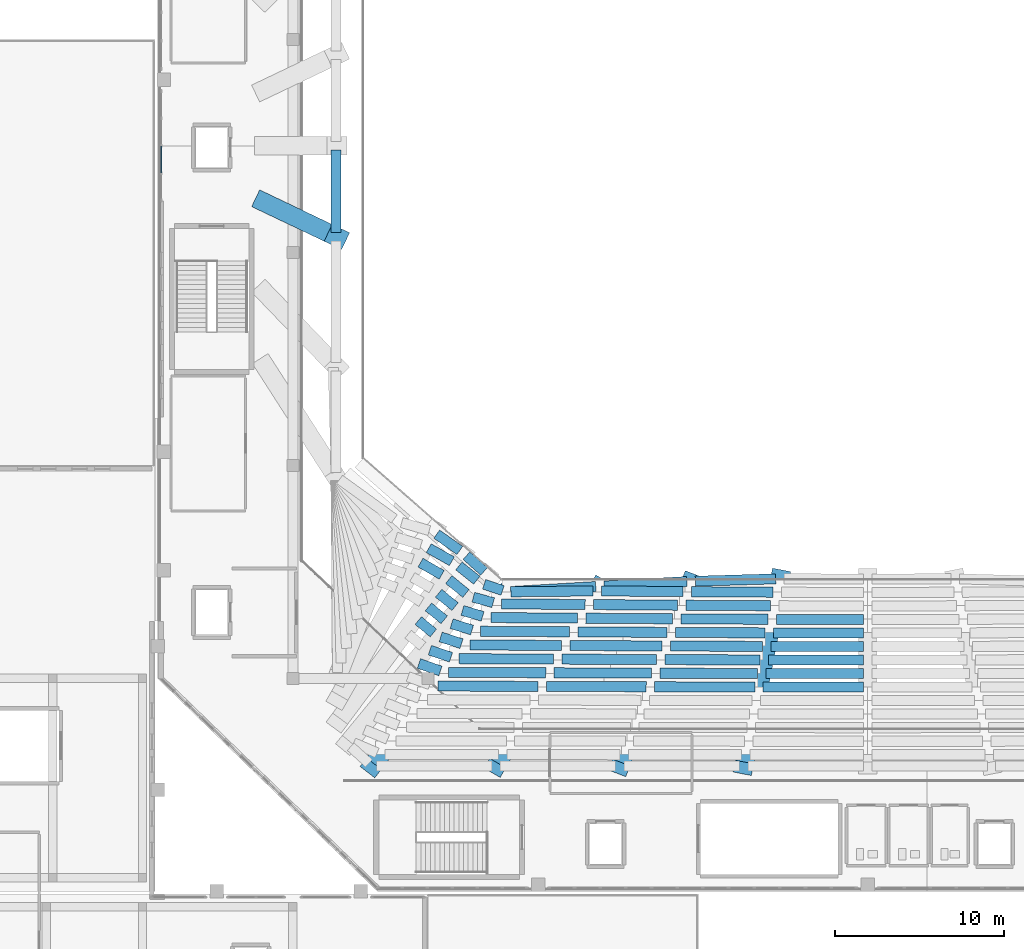
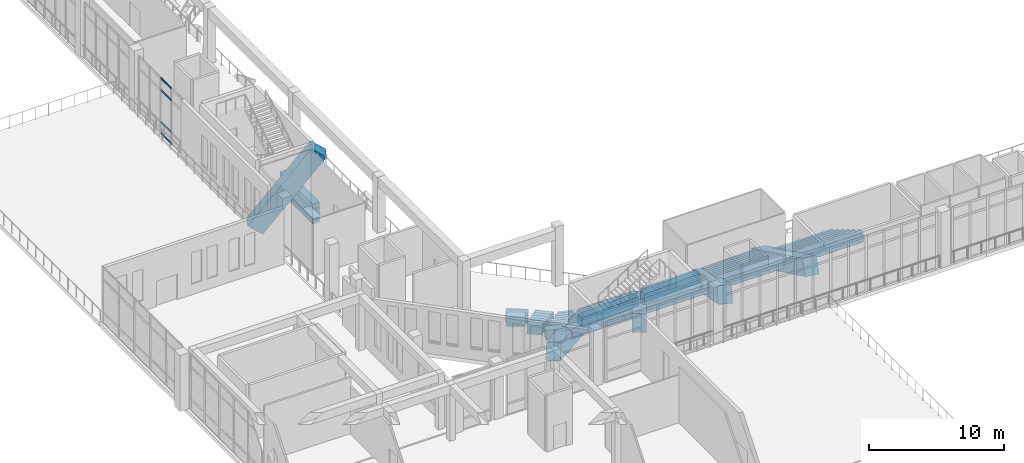
# One storey, part 11 of 55: 57 beams, 4 members, 1 element without a shape of its own.
"""IFC4 building model written with IfcOpenShell, lengths in metres."""

from ifc_helpers import new_model, si_unit, derived_unit, direction, frame, origin, origin_2d, place, context, subcontext, project, spatial, rectangle, extrude, material, layer, layer_set, material_profile, profile_set, type_object, element, aggregate, save


model = new_model("IFC4")

# Units and contexts
model_context = context("Model", 3, precision=1e-05, world=origin(), true_north=direction((0.0, 1.0)))
body_context = subcontext(model_context, "Body", "Model", "MODEL_VIEW")
ifc_project = project(units=[si_unit("LENGTHUNIT", "METRE"), si_unit("AREAUNIT", "SQUARE_METRE"), si_unit("VOLUMEUNIT", "CUBIC_METRE"), si_unit("PLANEANGLEUNIT", "RADIAN"), si_unit("MASSUNIT", "GRAM", prefix="KILO"), derived_unit("THERMALTRANSMITTANCEUNIT", [(si_unit("MASSUNIT", "GRAM", prefix="KILO"), 1), (si_unit("TIMEUNIT", "SECOND"), -3), (si_unit("THERMODYNAMICTEMPERATUREUNIT", "KELVIN"), -1)])], contexts=[model_context])

# Site, building, storey
site_placement = place(None, origin())
site = spatial("IfcSite", under=ifc_project, at=site_placement, CompositionType="ELEMENT")
building_placement = place(site_placement, origin())
building = spatial("IfcBuilding", under=site, at=building_placement, Name="Valcora Ridge Arena", CompositionType="ELEMENT")
storey_placement = place(building_placement, frame((0.0, 0.0, 21.0)))
storey = spatial("IfcBuildingStorey", under=building, at=storey_placement, Name="L04", CompositionType="ELEMENT", Elevation=21.0)

# Beams
ifc_material_1 = material(Name="Concrete C40/50", Category="concrete")
ifc_material_profile_1 = material_profile(ifc_material_1, rectangle(XDim=0.60009765625, YDim=0.85009765625, at=origin_2d()), Name="RC 600x850")
ifc_profile_set_1 = profile_set([ifc_material_profile_1], Name="Concrete C40/50")
beam_type_1 = type_object("IfcBeamType", Name="TY-BEAM-B-RC600-X", PredefinedType="BEAM", material=ifc_profile_set_1)
beam_1_placement = place(storey_placement, frame((32.506591796875, 41.129638671875, -8.22509765625), z_axis=(0.816975955166, -0.576671733901, 0.0), x_axis=(0.576671733901, 0.816975955166, 0.0)))
element("IfcBeam", 1, at=beam_1_placement, inside=storey, type_object=beam_type_1, Name="B-RC600-X BEM-RU3-B-RC600-X-0005", PredefinedType="BEAM", context=body_context, shape_type="SweptSolid", body=[
    extrude(rectangle(XDim=0.60009765625, YDim=0.85009765625, at=origin_2d()), origin(), (0.0, 0.0, 1.0), 1.67236328125),
])
beam_2_placement = place(storey_placement, frame((34.263671875, 39.85498046875, -8.22509765625), z_axis=(0.746513271676, -0.665370524754, 0.0), x_axis=(0.665370524754, 0.746513271676, 0.0)))
element("IfcBeam", 2, at=beam_2_placement, inside=storey, type_object=beam_type_1, Name="B-RC600-X BEM-RU3-B-RC600-X-0006", PredefinedType="BEAM", context=body_context, shape_type="SweptSolid", body=[
    extrude(rectangle(XDim=0.60009765625, YDim=0.85009765625, at=origin_2d()), origin(), (0.0, 0.0, 1.0), 1.399169921875),
])
beam_3_placement = place(storey_placement, frame((36.886474609375, 37.73291015625, -8.22509765625), z_axis=(0.998276711719, 0.058682253186, 0.0), x_axis=(-0.058682253186, 0.998276711719, 0.0)))
element("IfcBeam", 3, at=beam_3_placement, inside=storey, type_object=beam_type_1, Name="B-RC600-X BEM-RU3-B-RC600-X-0007", PredefinedType="BEAM", context=body_context, shape_type="SweptSolid", body=[
    extrude(rectangle(XDim=0.60009765625, YDim=0.85009765625, at=origin_2d()), origin(), (0.0, 0.0, 1.0), 5.038330078125),
])
beam_4_placement = place(storey_placement, frame((42.415283203125, 38.05712890625, -8.22509765625), z_axis=(0.998486603928, 0.054995470502, 0.0), x_axis=(-0.054995470502, 0.998486603928, 0.0)))
element("IfcBeam", 4, at=beam_4_placement, inside=storey, type_object=beam_type_1, Name="B-RC600-X BEM-RU3-B-RC600-X-0008", PredefinedType="BEAM", context=body_context, shape_type="SweptSolid", body=[
    extrude(rectangle(XDim=0.60009765625, YDim=0.85009765625, at=origin_2d()), origin(), (0.0, 0.0, 1.0), 4.90087890625),
])
beam_5_placement = place(storey_placement, frame((47.808349609375, 38.34765625, -8.22509765625), z_axis=(0.999569750047, 0.029331123248, 0.0), x_axis=(-0.029331123248, 0.999569750047, 0.0)))
element("IfcBeam", 5, at=beam_5_placement, inside=storey, type_object=beam_type_1, Name="B-RC600-X BEM-RU3-B-RC600-X-0009", PredefinedType="BEAM", context=body_context, shape_type="SweptSolid", body=[
    extrude(rectangle(XDim=0.60009765625, YDim=0.85009765625, at=origin_2d()), origin(), (0.0, 0.0, 1.0), 4.752685546875),
])
beam_6_placement = place(storey_placement, frame((26.55712890625, 63.85009765625, -8.22509765625), z_axis=(0.0, -1.0, 0.0), x_axis=(1.0, 0.0, 0.0)))
element("IfcBeam", 6, at=beam_6_placement, inside=storey, type_object=beam_type_1, Name="B-RC600-X BEM-RU3-B-RC600-X-0047", PredefinedType="BEAM", context=body_context, shape_type="SweptSolid", body=[
    extrude(rectangle(XDim=0.60009765625, YDim=0.85009765625, at=origin_2d()), origin(), (0.0, 0.0, 1.0), 4.86962890625),
])
beam_7_placement = place(storey_placement, frame((32.034423828125, 40.29931640625, -7.7451171875), z_axis=(0.87122233951, -0.490888617854, 0.0), x_axis=(0.490888617854, 0.87122233951, 0.0)))
element("IfcBeam", 7, at=beam_7_placement, inside=storey, type_object=beam_type_1, Name="B-RC600-X BEM-RU3-B-RC600-X-0052", PredefinedType="BEAM", context=body_context, shape_type="SweptSolid", body=[
    extrude(rectangle(XDim=0.60009765625, YDim=0.85009765625, at=origin_2d()), origin(), (0.0, 0.0, 1.0), 1.570068359375),
])
beam_8_placement = place(storey_placement, frame((33.815673828125, 39.25, -7.7451171875), z_axis=(0.782426005686, -0.622743563295, 0.0), x_axis=(0.622743563295, 0.782426005686, 0.0)))
element("IfcBeam", 8, at=beam_8_placement, inside=storey, type_object=beam_type_1, Name="B-RC600-X BEM-RU3-B-RC600-X-0053", PredefinedType="BEAM", context=body_context, shape_type="SweptSolid", body=[
    extrude(rectangle(XDim=0.60009765625, YDim=0.85009765625, at=origin_2d()), origin(), (0.0, 0.0, 1.0), 1.359130859375),
])
beam_9_placement = place(storey_placement, frame((35.3115234375, 38.16748046875, -7.7451171875), z_axis=(0.947099805881, -0.320939180688, 0.0), x_axis=(0.320939180688, 0.947099805881, 0.0)))
element("IfcBeam", 9, at=beam_9_placement, inside=storey, type_object=beam_type_1, Name="B-RC600-X BEM-RU3-B-RC600-X-0054", PredefinedType="BEAM", context=body_context, shape_type="SweptSolid", body=[
    extrude(rectangle(XDim=0.60009765625, YDim=0.85009765625, at=origin_2d()), origin(), (0.0, 0.0, 1.0), 1.1494140625),
])
beam_10_placement = place(storey_placement, frame((36.886962890625, 37.720703125, -7.7451171875), z_axis=(0.999948270549, 0.010171343334, 0.0), x_axis=(-0.010171343334, 0.999948270549, 0.0)))
element("IfcBeam", 10, at=beam_10_placement, inside=storey, type_object=beam_type_1, Name="B-RC600-X BEM-RU3-B-RC600-X-0055", PredefinedType="BEAM", context=body_context, shape_type="SweptSolid", body=[
    extrude(rectangle(XDim=0.60009765625, YDim=0.85009765625, at=origin_2d()), origin(), (0.0, 0.0, 1.0), 4.87255859375),
])
beam_11_placement = place(storey_placement, frame((42.25927734375, 37.770751953125, -7.7451171875), z_axis=(0.999964118208, -0.008471263011, 0.0), x_axis=(0.008471263011, 0.999964118208, 0.0)))
element("IfcBeam", 11, at=beam_11_placement, inside=storey, type_object=beam_type_1, Name="B-RC600-X BEM-RU3-B-RC600-X-0056", PredefinedType="BEAM", context=body_context, shape_type="SweptSolid", body=[
    extrude(rectangle(XDim=0.60009765625, YDim=0.85009765625, at=origin_2d()), origin(), (0.0, 0.0, 1.0), 4.81298828125),
])
beam_12_placement = place(storey_placement, frame((47.572021484375, 37.726318359375, -7.7451171875), z_axis=(0.999978762062, -0.006517317249, 0.0), x_axis=(0.006517317249, 0.999978762062, 0.0)))
element("IfcBeam", 12, at=beam_12_placement, inside=storey, type_object=beam_type_1, Name="B-RC600-X BEM-RU3-B-RC600-X-0057", PredefinedType="BEAM", context=body_context, shape_type="SweptSolid", body=[
    extrude(rectangle(XDim=0.60009765625, YDim=0.85009765625, at=origin_2d()), origin(), (0.0, 0.0, 1.0), 4.832275390625),
])
beam_13_placement = place(storey_placement, frame((26.55712890625, 63.85009765625, -7.7451171875), z_axis=(0.0, -1.0, 0.0), x_axis=(1.0, 0.0, 0.0)))
element("IfcBeam", 13, at=beam_13_placement, inside=storey, type_object=beam_type_1, Name="B-RC600-X BEM-RU3-B-RC600-X-0098", PredefinedType="BEAM", context=body_context, shape_type="SweptSolid", body=[
    extrude(rectangle(XDim=0.60009765625, YDim=0.85009765625, at=origin_2d()), origin(), (0.0, 0.0, 1.0), 4.86962890625),
])
beam_14_placement = place(storey_placement, frame((31.547607421875, 39.44580078125, -7.264892578125), z_axis=(0.86687173041, -0.498531245777, 0.0), x_axis=(0.498531245777, 0.86687173041, 0.0)))
element("IfcBeam", 14, at=beam_14_placement, inside=storey, type_object=beam_type_1, Name="B-RC600-X BEM-RU3-B-RC600-X-0103", PredefinedType="BEAM", context=body_context, shape_type="SweptSolid", body=[
    extrude(rectangle(XDim=0.60009765625, YDim=0.85009765625, at=origin_2d()), origin(), (0.0, 0.0, 1.0), 1.449462890625),
])
beam_15_placement = place(storey_placement, frame((33.2158203125, 38.442138671875, -7.264892578125), z_axis=(0.780030838, -0.625741074062, 0.0), x_axis=(0.625741074062, 0.780030838, 0.0)))
element("IfcBeam", 15, at=beam_15_placement, inside=storey, type_object=beam_type_1, Name="B-RC600-X BEM-RU3-B-RC600-X-0104", PredefinedType="BEAM", context=body_context, shape_type="SweptSolid", body=[
    extrude(rectangle(XDim=0.60009765625, YDim=0.85009765625, at=origin_2d()), origin(), (0.0, 0.0, 1.0), 1.30859375),
])
beam_16_placement = place(storey_placement, frame((34.672607421875, 37.400146484375, -7.264892578125), z_axis=(0.963618234463, -0.267282431541, 0.0), x_axis=(0.267282431541, 0.963618234463, 0.0)))
element("IfcBeam", 16, at=beam_16_placement, inside=storey, type_object=beam_type_1, Name="B-RC600-X BEM-RU3-B-RC600-X-0105", PredefinedType="BEAM", context=body_context, shape_type="SweptSolid", body=[
    extrude(rectangle(XDim=0.60009765625, YDim=0.85009765625, at=origin_2d()), origin(), (0.0, 0.0, 1.0), 1.219482421875),
])
beam_17_placement = place(storey_placement, frame((36.33837890625, 37.00537109375, -7.264892578125), z_axis=(0.999970825227, -0.007638631803, 0.0), x_axis=(0.007638631803, 0.999970825227, 0.0)))
element("IfcBeam", 17, at=beam_17_placement, inside=storey, type_object=beam_type_1, Name="B-RC600-X BEM-RU3-B-RC600-X-0106", PredefinedType="BEAM", context=body_context, shape_type="SweptSolid", body=[
    extrude(rectangle(XDim=0.60009765625, YDim=0.85009765625, at=origin_2d()), origin(), (0.0, 0.0, 1.0), 4.9541015625),
])
beam_18_placement = place(storey_placement, frame((41.792236328125, 36.963623046875, -7.264892578125), z_axis=(0.999971386878, -0.007564748911, 0.0), x_axis=(0.007564748911, 0.999971386878, 0.0)))
element("IfcBeam", 18, at=beam_18_placement, inside=storey, type_object=beam_type_1, Name="B-RC600-X BEM-RU3-B-RC600-X-0107", PredefinedType="BEAM", context=body_context, shape_type="SweptSolid", body=[
    extrude(rectangle(XDim=0.60009765625, YDim=0.85009765625, at=origin_2d()), origin(), (0.0, 0.0, 1.0), 4.97021484375),
])
beam_19_placement = place(storey_placement, frame((47.26220703125, 36.922607421875, -7.264892578125), z_axis=(0.99998332037, -0.005775723534, 0.0), x_axis=(0.005775723534, 0.99998332037, 0.0)))
element("IfcBeam", 19, at=beam_19_placement, inside=storey, type_object=beam_type_1, Name="B-RC600-X BEM-RU3-B-RC600-X-0108", PredefinedType="BEAM", context=body_context, shape_type="SweptSolid", body=[
    extrude(rectangle(XDim=0.60009765625, YDim=0.85009765625, at=origin_2d()), origin(), (0.0, 0.0, 1.0), 4.98779296875),
])
beam_20_placement = place(storey_placement, frame((26.55712890625, 63.85009765625, -7.264892578125), z_axis=(0.0, -1.0, 0.0), x_axis=(1.0, 0.0, 0.0)))
element("IfcBeam", 20, at=beam_20_placement, inside=storey, type_object=beam_type_1, Name="B-RC600-X BEM-RU3-B-RC600-X-0149", PredefinedType="BEAM", context=body_context, shape_type="SweptSolid", body=[
    extrude(rectangle(XDim=0.60009765625, YDim=0.85009765625, at=origin_2d()), origin(), (0.0, 0.0, 1.0), 4.86962890625),
])
beam_21_placement = place(storey_placement, frame((32.6162109375, 37.634521484375, -6.784912109375), z_axis=(0.777430130571, -0.628969309331, 0.0), x_axis=(0.628969309331, 0.777430130571, 0.0)))
element("IfcBeam", 21, at=beam_21_placement, inside=storey, type_object=beam_type_1, Name="B-RC600-X BEM-RU3-B-RC600-X-0154", PredefinedType="BEAM", context=body_context, shape_type="SweptSolid", body=[
    extrude(rectangle(XDim=0.60009765625, YDim=0.85009765625, at=origin_2d()), origin(), (0.0, 0.0, 1.0), 1.258056640625),
])
beam_22_placement = place(storey_placement, frame((34.028564453125, 36.615966796875, -6.784912109375), z_axis=(0.959848260942, -0.280519724739, 0.0), x_axis=(0.280519724739, 0.959848260942, 0.0)))
element("IfcBeam", 22, at=beam_22_placement, inside=storey, type_object=beam_type_1, Name="B-RC600-X BEM-RU3-B-RC600-X-0155", PredefinedType="BEAM", context=body_context, shape_type="SweptSolid", body=[
    extrude(rectangle(XDim=0.60009765625, YDim=0.85009765625, at=origin_2d()), origin(), (0.0, 0.0, 1.0), 1.24462890625),
])
beam_23_placement = place(storey_placement, frame((35.713134765625, 36.195068359375, -6.784912109375), z_axis=(0.999976680727, -0.006829202223, 0.0), x_axis=(0.006829202223, 0.999976680727, 0.0)))
element("IfcBeam", 23, at=beam_23_placement, inside=storey, type_object=beam_type_1, Name="B-RC600-X BEM-RU3-B-RC600-X-0156", PredefinedType="BEAM", context=body_context, shape_type="SweptSolid", body=[
    extrude(rectangle(XDim=0.60009765625, YDim=0.85009765625, at=origin_2d()), origin(), (0.0, 0.0, 1.0), 5.112060546875),
])
beam_24_placement = place(storey_placement, frame((41.3251953125, 36.15673828125, -6.784912109375), z_axis=(0.999977459946, -0.006714134374, 0.0), x_axis=(0.006714134374, 0.999977459946, 0.0)))
element("IfcBeam", 24, at=beam_24_placement, inside=storey, type_object=beam_type_1, Name="B-RC600-X BEM-RU3-B-RC600-X-0157", PredefinedType="BEAM", context=body_context, shape_type="SweptSolid", body=[
    extrude(rectangle(XDim=0.60009765625, YDim=0.85009765625, at=origin_2d()), origin(), (0.0, 0.0, 1.0), 5.126953125),
])
beam_25_placement = place(storey_placement, frame((46.9521484375, 36.119140625, -6.784912109375), z_axis=(0.999986615292, -0.005173899514, 0.0), x_axis=(0.005173899514, 0.999986615292, 0.0)))
element("IfcBeam", 25, at=beam_25_placement, inside=storey, type_object=beam_type_1, Name="B-RC600-X BEM-RU3-B-RC600-X-0158", PredefinedType="BEAM", context=body_context, shape_type="SweptSolid", body=[
    extrude(rectangle(XDim=0.60009765625, YDim=0.85009765625, at=origin_2d()), origin(), (0.0, 0.0, 1.0), 5.143310546875),
])
beam_26_placement = place(storey_placement, frame((52.595458984375, 36.0908203125, -6.784912109375), z_axis=(0.999998021357, -0.001989291758, 0.0), x_axis=(0.001989291758, 0.999998021357, 0.0)))
element("IfcBeam", 26, at=beam_26_placement, inside=storey, type_object=beam_type_1, Name="B-RC600-X BEM-RU3-B-RC600-X-0159", PredefinedType="BEAM", context=body_context, shape_type="SweptSolid", body=[
    extrude(rectangle(XDim=0.60009765625, YDim=0.85009765625, at=origin_2d()), origin(), (0.0, 0.0, 1.0), 5.154541015625),
])
beam_27_placement = place(storey_placement, frame((32.016357421875, 36.82666015625, -6.304931640625), z_axis=(0.774875446553, -0.632113947267, 0.0), x_axis=(0.632113947267, 0.774875446553, 0.0)))
element("IfcBeam", 27, at=beam_27_placement, inside=storey, type_object=beam_type_1, Name="B-RC600-X BEM-RU3-B-RC600-X-0199", PredefinedType="BEAM", context=body_context, shape_type="SweptSolid", body=[
    extrude(rectangle(XDim=0.60009765625, YDim=0.85009765625, at=origin_2d()), origin(), (0.0, 0.0, 1.0), 1.207275390625),
])
beam_28_placement = place(storey_placement, frame((33.384521484375, 35.83203125, -6.304931640625), z_axis=(0.956019721156, -0.293302391332, 0.0), x_axis=(0.293302391332, 0.956019721156, 0.0)))
element("IfcBeam", 28, at=beam_28_placement, inside=storey, type_object=beam_type_1, Name="B-RC600-X BEM-RU3-B-RC600-X-0200", PredefinedType="BEAM", context=body_context, shape_type="SweptSolid", body=[
    extrude(rectangle(XDim=0.60009765625, YDim=0.85009765625, at=origin_2d()), origin(), (0.0, 0.0, 1.0), 1.270263671875),
])
beam_29_placement = place(storey_placement, frame((35.087890625, 35.384521484375, -6.304931640625), z_axis=(0.99998186739, -0.006022033759, 0.0), x_axis=(0.006022033759, 0.99998186739, 0.0)))
element("IfcBeam", 29, at=beam_29_placement, inside=storey, type_object=beam_type_1, Name="B-RC600-X BEM-RU3-B-RC600-X-0201", PredefinedType="BEAM", context=body_context, shape_type="SweptSolid", body=[
    extrude(rectangle(XDim=0.60009765625, YDim=0.85009765625, at=origin_2d()), origin(), (0.0, 0.0, 1.0), 5.270263671875),
])
beam_30_placement = place(storey_placement, frame((40.858154296875, 35.349853515625, -6.304931640625), z_axis=(0.999982237547, -0.005960250827, 0.0), x_axis=(0.005960250827, 0.999982237547, 0.0)))
element("IfcBeam", 30, at=beam_30_placement, inside=storey, type_object=beam_type_1, Name="B-RC600-X BEM-RU3-B-RC600-X-0202", PredefinedType="BEAM", context=body_context, shape_type="SweptSolid", body=[
    extrude(rectangle(XDim=0.60009765625, YDim=0.85009765625, at=origin_2d()), origin(), (0.0, 0.0, 1.0), 5.283935546875),
])
beam_31_placement = place(storey_placement, frame((46.64208984375, 35.315673828125, -6.304931640625), z_axis=(0.999989385891, -0.004607396728, 0.0), x_axis=(0.004607396728, 0.999989385891, 0.0)))
element("IfcBeam", 31, at=beam_31_placement, inside=storey, type_object=beam_type_1, Name="B-RC600-X BEM-RU3-B-RC600-X-0203", PredefinedType="BEAM", context=body_context, shape_type="SweptSolid", body=[
    extrude(rectangle(XDim=0.60009765625, YDim=0.85009765625, at=origin_2d()), origin(), (0.0, 0.0, 1.0), 5.298828125),
])
beam_32_placement = place(storey_placement, frame((52.44091796875, 35.289794921875, -6.304931640625), z_axis=(0.999998473217, -0.001747445139, 0.0), x_axis=(0.001747445139, 0.999998473217, 0.0)))
element("IfcBeam", 32, at=beam_32_placement, inside=storey, type_object=beam_type_1, Name="B-RC600-X BEM-RU3-B-RC600-X-0204", PredefinedType="BEAM", context=body_context, shape_type="SweptSolid", body=[
    extrude(rectangle(XDim=0.60009765625, YDim=0.85009765625, at=origin_2d()), origin(), (0.0, 0.0, 1.0), 5.30908203125),
])
beam_33_placement = place(storey_placement, frame((31.41650390625, 36.018798828125, -5.824951171875), z_axis=(0.772167756394, -0.635418724925, 0.0), x_axis=(0.635418724925, 0.772167756394, 0.0)))
element("IfcBeam", 33, at=beam_33_placement, inside=storey, type_object=beam_type_1, Name="B-RC600-X BEM-RU3-B-RC600-X-0239", PredefinedType="BEAM", context=body_context, shape_type="SweptSolid", body=[
    extrude(rectangle(XDim=0.60009765625, YDim=0.85009765625, at=origin_2d()), origin(), (0.0, 0.0, 1.0), 1.156982421875),
])
beam_34_placement = place(storey_placement, frame((32.74072265625, 35.048095703125, -5.824951171875), z_axis=(0.952110851119, -0.30575304934, 0.0), x_axis=(0.30575304934, 0.952110851119, 0.0)))
element("IfcBeam", 34, at=beam_34_placement, inside=storey, type_object=beam_type_1, Name="B-RC600-X BEM-RU3-B-RC600-X-0240", PredefinedType="BEAM", context=body_context, shape_type="SweptSolid", body=[
    extrude(rectangle(XDim=0.60009765625, YDim=0.85009765625, at=origin_2d()), origin(), (0.0, 0.0, 1.0), 1.2958984375),
])
beam_35_placement = place(storey_placement, frame((34.46240234375, 34.57421875, -5.824951171875), z_axis=(0.999985919713, -0.00530663512, 0.0), x_axis=(0.00530663512, 0.999985919713, 0.0)))
element("IfcBeam", 35, at=beam_35_placement, inside=storey, type_object=beam_type_1, Name="B-RC600-X BEM-RU3-B-RC600-X-0241", PredefinedType="BEAM", context=body_context, shape_type="SweptSolid", body=[
    extrude(rectangle(XDim=0.60009765625, YDim=0.85009765625, at=origin_2d()), origin(), (0.0, 0.0, 1.0), 5.4287109375),
])
beam_36_placement = place(storey_placement, frame((40.39111328125, 34.54296875, -5.824951171875), z_axis=(0.999986220625, -0.005249624795, 0.0), x_axis=(0.005249624795, 0.999986220625, 0.0)))
element("IfcBeam", 36, at=beam_36_placement, inside=storey, type_object=beam_type_1, Name="B-RC600-X BEM-RU3-B-RC600-X-0242", PredefinedType="BEAM", context=body_context, shape_type="SweptSolid", body=[
    extrude(rectangle(XDim=0.60009765625, YDim=0.85009765625, at=origin_2d()), origin(), (0.0, 0.0, 1.0), 5.441162109375),
])
beam_37_placement = place(storey_placement, frame((46.332275390625, 34.51220703125, -5.824951171875), z_axis=(0.999991885822, -0.004028435152, 0.0), x_axis=(0.004028435152, 0.999991885822, 0.0)))
element("IfcBeam", 37, at=beam_37_placement, inside=storey, type_object=beam_type_1, Name="B-RC600-X BEM-RU3-B-RC600-X-0243", PredefinedType="BEAM", context=body_context, shape_type="SweptSolid", body=[
    extrude(rectangle(XDim=0.60009765625, YDim=0.85009765625, at=origin_2d()), origin(), (0.0, 0.0, 1.0), 5.454345703125),
])
beam_38_placement = place(storey_placement, frame((52.28662109375, 34.48876953125, -5.824951171875), z_axis=(0.999998845791, -0.001519347607, 0.0), x_axis=(0.001519347607, 0.999998845791, 0.0)))
element("IfcBeam", 38, at=beam_38_placement, inside=storey, type_object=beam_type_1, Name="B-RC600-X BEM-RU3-B-RC600-X-0244", PredefinedType="BEAM", context=body_context, shape_type="SweptSolid", body=[
    extrude(rectangle(XDim=0.60009765625, YDim=0.85009765625, at=origin_2d()), origin(), (0.0, 0.0, 1.0), 5.46337890625),
])
beam_39_placement = place(storey_placement, frame((32.096923828125, 34.2646484375, -5.344970703125), z_axis=(0.948072021383, -0.31805572196, 0.0), x_axis=(0.31805572196, 0.948072021383, 0.0)))
element("IfcBeam", 39, at=beam_39_placement, inside=storey, type_object=beam_type_1, Name="B-RC600-X BEM-RU3-B-RC600-X-0276", PredefinedType="BEAM", context=body_context, shape_type="SweptSolid", body=[
    extrude(rectangle(XDim=0.60009765625, YDim=0.85009765625, at=origin_2d()), origin(), (0.0, 0.0, 1.0), 1.32177734375),
])
beam_40_placement = place(storey_placement, frame((33.837158203125, 33.763671875, -5.344970703125), z_axis=(0.999989474568, -0.00458810989, 0.0), x_axis=(0.00458810989, 0.999989474568, 0.0)))
element("IfcBeam", 40, at=beam_40_placement, inside=storey, type_object=beam_type_1, Name="B-RC600-X BEM-RU3-B-RC600-X-0277", PredefinedType="BEAM", context=body_context, shape_type="SweptSolid", body=[
    extrude(rectangle(XDim=0.60009765625, YDim=0.85009765625, at=origin_2d()), origin(), (0.0, 0.0, 1.0), 5.587158203125),
])
beam_41_placement = place(storey_placement, frame((39.92431640625, 33.73583984375, -5.344970703125), z_axis=(0.999989713687, -0.004535694109, 0.0), x_axis=(0.004535694109, 0.999989713687, 0.0)))
element("IfcBeam", 41, at=beam_41_placement, inside=storey, type_object=beam_type_1, Name="B-RC600-X BEM-RU3-B-RC600-X-0278", PredefinedType="BEAM", context=body_context, shape_type="SweptSolid", body=[
    extrude(rectangle(XDim=0.60009765625, YDim=0.85009765625, at=origin_2d()), origin(), (0.0, 0.0, 1.0), 5.597900390625),
])
beam_42_placement = place(storey_placement, frame((46.022216796875, 33.70849609375, -5.344970703125), z_axis=(0.999994089886, -0.003438050879, 0.0), x_axis=(0.003438050879, 0.999994089886, 0.0)))
element("IfcBeam", 42, at=beam_42_placement, inside=storey, type_object=beam_type_1, Name="B-RC600-X BEM-RU3-B-RC600-X-0279", PredefinedType="BEAM", context=body_context, shape_type="SweptSolid", body=[
    extrude(rectangle(XDim=0.60009765625, YDim=0.85009765625, at=origin_2d()), origin(), (0.0, 0.0, 1.0), 5.60986328125),
])
beam_43_placement = place(storey_placement, frame((52.132080078125, 33.68798828125, -5.344970703125), z_axis=(0.999999092552, -0.00134718056, 0.0), x_axis=(0.00134718056, 0.999999092552, 0.0)))
element("IfcBeam", 43, at=beam_43_placement, inside=storey, type_object=beam_type_1, Name="B-RC600-X BEM-RU3-B-RC600-X-0280", PredefinedType="BEAM", context=body_context, shape_type="SweptSolid", body=[
    extrude(rectangle(XDim=0.60009765625, YDim=0.85009765625, at=origin_2d()), origin(), (0.0, 0.0, 1.0), 5.617919921875),
])
beam_44_placement = place(storey_placement, frame((31.453125, 33.481201171875, -4.864990234375), z_axis=(0.944058639629, -0.329777629535, 0.0), x_axis=(0.329777629535, 0.944058639629, 0.0)))
element("IfcBeam", 44, at=beam_44_placement, inside=storey, type_object=beam_type_1, Name="B-RC600-X BEM-RU3-B-RC600-X-0307", PredefinedType="BEAM", context=body_context, shape_type="SweptSolid", body=[
    extrude(rectangle(XDim=0.60009765625, YDim=0.85009765625, at=origin_2d()), origin(), (0.0, 0.0, 1.0), 1.34814453125),
])
beam_45_placement = place(storey_placement, frame((33.2119140625, 32.953125, -4.864990234375), z_axis=(0.999992523586, -0.003866881386, 0.0), x_axis=(0.003866881386, 0.999992523586, 0.0)))
element("IfcBeam", 45, at=beam_45_placement, inside=storey, type_object=beam_type_1, Name="B-RC600-X BEM-RU3-B-RC600-X-0308", PredefinedType="BEAM", context=body_context, shape_type="SweptSolid", body=[
    extrude(rectangle(XDim=0.60009765625, YDim=0.85009765625, at=origin_2d()), origin(), (0.0, 0.0, 1.0), 5.745361328125),
])
beam_46_placement = place(storey_placement, frame((39.457275390625, 32.928955078125, -4.864990234375), z_axis=(0.999992548305, -0.003860483705, 0.0), x_axis=(0.003860483705, 0.999992548305, 0.0)))
element("IfcBeam", 46, at=beam_46_placement, inside=storey, type_object=beam_type_1, Name="B-RC600-X BEM-RU3-B-RC600-X-0309", PredefinedType="BEAM", context=body_context, shape_type="SweptSolid", body=[
    extrude(rectangle(XDim=0.60009765625, YDim=0.85009765625, at=origin_2d()), origin(), (0.0, 0.0, 1.0), 5.7548828125),
])
beam_47_placement = place(storey_placement, frame((45.712158203125, 32.905029296875, -4.864990234375), z_axis=(0.999995480318, -0.003006550036, 0.0), x_axis=(0.003006550036, 0.999995480318, 0.0)))
element("IfcBeam", 47, at=beam_47_placement, inside=storey, type_object=beam_type_1, Name="B-RC600-X BEM-RU3-B-RC600-X-0310", PredefinedType="BEAM", context=body_context, shape_type="SweptSolid", body=[
    extrude(rectangle(XDim=0.60009765625, YDim=0.85009765625, at=origin_2d()), origin(), (0.0, 0.0, 1.0), 5.765380859375),
])
beam_48_placement = place(storey_placement, frame((51.9775390625, 32.88671875, -4.864990234375), z_axis=(0.999999395391, -0.001099644065, 0.0), x_axis=(0.001099644065, 0.999999395391, 0.0)))
element("IfcBeam", 48, at=beam_48_placement, inside=storey, type_object=beam_type_1, Name="B-RC600-X BEM-RU3-B-RC600-X-0311", PredefinedType="BEAM", context=body_context, shape_type="SweptSolid", body=[
    extrude(rectangle(XDim=0.60009765625, YDim=0.85009765625, at=origin_2d()), origin(), (0.0, 0.0, 1.0), 5.7724609375),
])
beam_49_placement = place(storey_placement, frame((32.58642578125, 32.142578125, -4.385009765625), z_axis=(0.999994797988, -0.003225522878, 0.0), x_axis=(0.003225522878, 0.999994797988, 0.0)))
element("IfcBeam", 49, at=beam_49_placement, inside=storey, type_object=beam_type_1, Name="B-RC600-X BEM-RU3-B-RC600-X-0338", PredefinedType="BEAM", context=body_context, shape_type="SweptSolid", body=[
    extrude(rectangle(XDim=0.60009765625, YDim=0.85009765625, at=origin_2d()), origin(), (0.0, 0.0, 1.0), 5.90380859375),
])
beam_50_placement = place(storey_placement, frame((38.990234375, 32.121826171875, -4.385009765625), z_axis=(0.999994812156, -0.003221127208, 0.0), x_axis=(0.003221127208, 0.999994812156, 0.0)))
element("IfcBeam", 50, at=beam_50_placement, inside=storey, type_object=beam_type_1, Name="B-RC600-X BEM-RU3-B-RC600-X-0339", PredefinedType="BEAM", context=body_context, shape_type="SweptSolid", body=[
    extrude(rectangle(XDim=0.60009765625, YDim=0.85009765625, at=origin_2d()), origin(), (0.0, 0.0, 1.0), 5.911865234375),
])
beam_51_placement = place(storey_placement, frame((45.402099609375, 32.1015625, -4.385009765625), z_axis=(0.999996836757, -0.002515248517, 0.0), x_axis=(0.002515248517, 0.999996836757, 0.0)))
element("IfcBeam", 51, at=beam_51_placement, inside=storey, type_object=beam_type_1, Name="B-RC600-X BEM-RU3-B-RC600-X-0340", PredefinedType="BEAM", context=body_context, shape_type="SweptSolid", body=[
    extrude(rectangle(XDim=0.60009765625, YDim=0.85009765625, at=origin_2d()), origin(), (0.0, 0.0, 1.0), 5.9208984375),
])
beam_52_placement = place(storey_placement, frame((51.822998046875, 32.0859375, -4.385009765625), z_axis=(0.999999511345, -0.00098858954, 0.0), x_axis=(0.00098858954, 0.999999511345, 0.0)))
element("IfcBeam", 52, at=beam_52_placement, inside=storey, type_object=beam_type_1, Name="B-RC600-X BEM-RU3-B-RC600-X-0341", PredefinedType="BEAM", context=body_context, shape_type="SweptSolid", body=[
    extrude(rectangle(XDim=0.60009765625, YDim=0.85009765625, at=origin_2d()), origin(), (0.0, 0.0, 1.0), 5.927001953125),
])
ifc_material_2 = material(Name="Concrete C45/55", Category="concrete")
ifc_material_profile_2 = material_profile(ifc_material_2, rectangle(XDim=1.10009765625, YDim=1.39990234375, at=origin_2d()), Name="RC 1100x1400")
ifc_profile_set_2 = profile_set([ifc_material_profile_2], Name="Concrete C45/55")
beam_type_2 = type_object("IfcBeamType", Name="TY-BEAM-RKR-UPP-1400", PredefinedType="USERDEFINED", material=ifc_profile_set_2)
beam_53_placement = place(storey_placement, frame((36.718017578125, 37.823486328125, -8.52001953125), z_axis=(-0.544752216545, -0.706174236623, 0.452286380625), x_axis=(0.791788093451, -0.610795886585, 0.0)))
element("IfcBeam", 53, at=beam_53_placement, inside=storey, type_object=beam_type_2, Name="RKR-UPP-1400 BEM-RK-RKR-UPP-1400-0001", ObjectType="RAKER", PredefinedType="USERDEFINED", context=body_context, shape_type="SweptSolid", body=[
    extrude(rectangle(XDim=1.10009765625, YDim=1.39990234375, at=origin_2d()), origin(), (0.0, 0.0, 1.0), 14.902099609375),
])
beam_54_placement = place(storey_placement, frame((42.228515625, 38.15185546875, -8.52001953125), z_axis=(-0.441093241789, -0.762381051611, 0.473510173273), x_axis=(0.865566685164, -0.500793683601, 0.0)))
element("IfcBeam", 54, at=beam_54_placement, inside=storey, type_object=beam_type_2, Name="RKR-UPP-1400 BEM-RK-RKR-UPP-1400-0002", ObjectType="RAKER", PredefinedType="USERDEFINED", context=body_context, shape_type="SweptSolid", body=[
    extrude(rectangle(XDim=1.10009765625, YDim=1.39990234375, at=origin_2d()), origin(), (0.0, 0.0, 1.0), 14.234130859375),
])
beam_55_placement = place(storey_placement, frame((47.601318359375, 38.451904296875, -8.52001953125), z_axis=(-0.313458761983, -0.812701176631, 0.491182656492), x_axis=(0.933006165086, -0.359860383915, 0.0)))
element("IfcBeam", 55, at=beam_55_placement, inside=storey, type_object=beam_type_2, Name="RKR-UPP-1400 BEM-RK-RKR-UPP-1400-0003", ObjectType="RAKER", PredefinedType="USERDEFINED", context=body_context, shape_type="SweptSolid", body=[
    extrude(rectangle(XDim=1.10009765625, YDim=1.39990234375, at=origin_2d()), origin(), (0.0, 0.0, 1.0), 13.721923828125),
])
beam_56_placement = place(storey_placement, frame((52.8427734375, 38.66943359375, -8.52001953125), z_axis=(-0.163674872432, -0.848605559372, 0.503069717571), x_axis=(0.981902980966, -0.189384624429, 0.0)))
element("IfcBeam", 56, at=beam_56_placement, inside=storey, type_object=beam_type_2, Name="RKR-UPP-1400 BEM-RK-RKR-UPP-1400-0004", ObjectType="RAKER", PredefinedType="USERDEFINED", context=body_context, shape_type="SweptSolid", body=[
    extrude(rectangle(XDim=1.10009765625, YDim=1.39990234375, at=origin_2d()), origin(), (0.0, 0.0, 1.0), 13.397705078125),
])
beam_57_placement = place(storey_placement, frame((22.31005859375, 60.756103515625, -8.52001953125), z_axis=(0.520172505004, -0.248097300503, 0.817232093423), x_axis=(0.430493770207, 0.902593548511, 0.0)))
element("IfcBeam", 57, at=beam_57_placement, inside=storey, type_object=beam_type_2, Name="RKR-UPP-1400 BEM-RKN-RKR-UPP-1400-0002", ObjectType="RAKER", PredefinedType="USERDEFINED", context=body_context, shape_type="SweptSolid", body=[
    extrude(rectangle(XDim=1.10009765625, YDim=1.39990234375, at=origin_2d()), origin(), (0.0, 0.0, 1.0), 8.247314453125),
])

# Curtain wall, members
ifc_material_3 = material(Name="Anodised dark bronze architectural aluminium 6063-T6", Category="aluminium")
ifc_layer = layer(ifc_material_3, 0.179931640625, Name="Anodised dark bronze architectural aluminium 6063-T6")
ifc_layer_set = layer_set([ifc_layer], Name="Anodised dark bronze architectural aluminium 6063-T6")
curtain_wall_type = type_object("IfcCurtainWallType", Name="TY-CURTAINWALL-CW-V1-GOTH-065X51", PredefinedType="NOTDEFINED", material=ifc_layer_set)
curtain_wall_placement = place(storey_placement, origin())
curtain_wall = element("IfcCurtainWall", 58, at=curtain_wall_placement, inside=storey, type_object=curtain_wall_type, Name="CW-V1-GOTH-065X51 CW-0149", PredefinedType="NOTDEFINED")
ifc_material_profile_3 = material_profile(ifc_material_3, rectangle(XDim=0.06005859375, YDim=0.179931640625, at=origin_2d()), Name="ALU TRANSOM 60x180")
ifc_profile_set_3 = profile_set([ifc_material_profile_3], Name="Anodised dark bronze architectural aluminium 6063-T6")
member_type = type_object("IfcMemberType", Name="TY-MEM-CWT-60x180", PredefinedType="USERDEFINED", material=ifc_profile_set_3)
member_1_placement = place(storey_placement, frame((16.199951171875, 62.507080078125, 0.030029296875), z_axis=(0.0, 1.0, 0.0), x_axis=(-1.0, 0.0, 0.0)))
member_1 = element("IfcMember", 59, at=member_1_placement, type_object=member_type, Name="CW-0149/CWT-60x180/T01-00", ObjectType="TRANSOM", PredefinedType="USERDEFINED", context=body_context, shape_type="SweptSolid", body=[
    extrude(rectangle(XDim=0.06005859375, YDim=0.179931640625, at=origin_2d()), origin(), (0.0, 0.0, 1.0), 1.56787109375),
])
member_2_placement = place(storey_placement, frame((16.199951171875, 62.507080078125, 1.050048828125), z_axis=(0.0, 1.0, 0.0), x_axis=(-1.0, 0.0, 0.0)))
member_2 = element("IfcMember", 60, at=member_2_placement, type_object=member_type, Name="CW-0149/CWT-60x180/T01-01", ObjectType="TRANSOM", PredefinedType="USERDEFINED", context=body_context, shape_type="SweptSolid", body=[
    extrude(rectangle(XDim=0.06005859375, YDim=0.179931640625, at=origin_2d()), origin(), (0.0, 0.0, 1.0), 1.56787109375),
])
member_3_placement = place(storey_placement, frame((16.199951171875, 62.507080078125, 3.9599609375), z_axis=(0.0, 1.0, 0.0), x_axis=(-1.0, 0.0, 0.0)))
member_3 = element("IfcMember", 61, at=member_3_placement, type_object=member_type, Name="CW-0149/CWT-60x180/T01-02", ObjectType="TRANSOM", PredefinedType="USERDEFINED", context=body_context, shape_type="SweptSolid", body=[
    extrude(rectangle(XDim=0.06005859375, YDim=0.179931640625, at=origin_2d()), origin(), (0.0, 0.0, 1.0), 1.56787109375),
])
member_4_placement = place(storey_placement, frame((16.199951171875, 62.507080078125, 5.030029296875), z_axis=(0.0, 1.0, 0.0), x_axis=(-1.0, 0.0, 0.0)))
member_4 = element("IfcMember", 62, at=member_4_placement, type_object=member_type, Name="CW-0149/CWT-60x180/T01-03", ObjectType="TRANSOM", PredefinedType="USERDEFINED", context=body_context, shape_type="SweptSolid", body=[
    extrude(rectangle(XDim=0.06005859375, YDim=0.179931640625, at=origin_2d()), origin(), (0.0, 0.0, 1.0), 1.56787109375),
])
aggregate(curtain_wall, [member_1, member_2, member_3, member_4])

save(model, "model.ifc")
